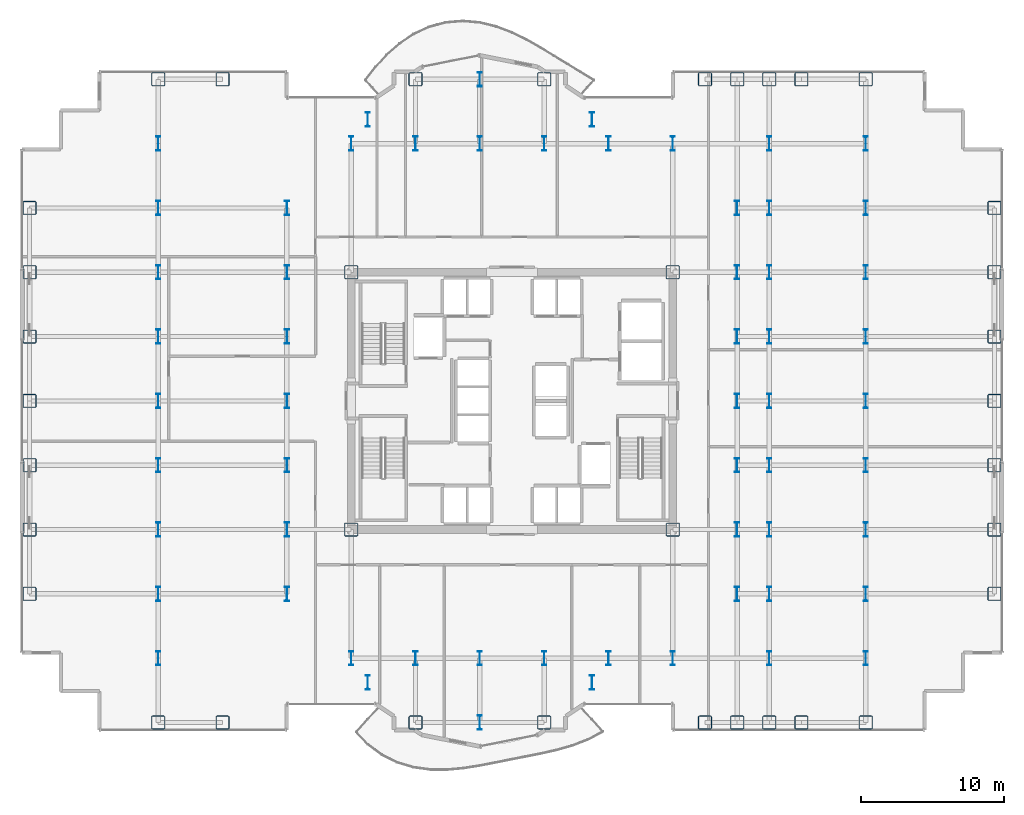
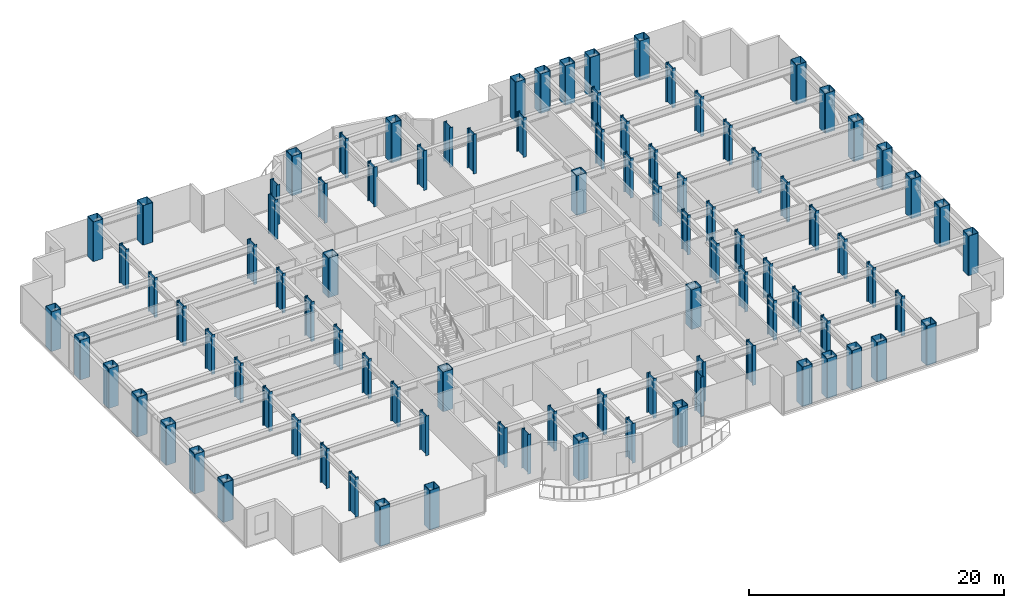
# One storey, part 1 of 28: 95 columns.
"""IFC4 building model written with IfcOpenShell, lengths in metres."""

from ifc_helpers import new_model, si_unit, direction, frame, origin, origin_2d, place, context, subcontext, project, spatial, hollow_rectangle, i_section, extrude, source, transform, mapped, material, material_profile, profile_set, type_object, element, save


model = new_model("IFC4")

# Units and contexts
model_context = context("Model", 3, precision=1e-05, world=origin(), true_north=direction((0.0, 1.0)))
body_context = subcontext(model_context, "Body", "Model", "MODEL_VIEW")
ifc_project = project(units=[si_unit("LENGTHUNIT", "METRE"), si_unit("AREAUNIT", "SQUARE_METRE"), si_unit("VOLUMEUNIT", "CUBIC_METRE"), si_unit("PLANEANGLEUNIT", "RADIAN"), si_unit("MASSUNIT", "GRAM", prefix="KILO")], contexts=[model_context])

# Site, building, storey
site_placement = place(None, origin())
site = spatial("IfcSite", under=ifc_project, at=site_placement, CompositionType="ELEMENT")
building_placement = place(site_placement, origin())
building = spatial("IfcBuilding", under=site, at=building_placement, Name="Nefas-Gora Pilgrimage Tower", CompositionType="ELEMENT")
storey_placement = place(building_placement, frame((0.0, 0.0, 102.199951171875)))
storey = spatial("IfcBuildingStorey", under=building, at=storey_placement, Name="L24", CompositionType="ELEMENT", Elevation=102.199951171875)

# Columns
ifc_material = material(Name="Steel S460", Category="steel")
ifc_material_profile_1 = material_profile(ifc_material, hollow_rectangle(XDim=0.949951171875, YDim=0.949951171875, WallThickness=0.044921875, InnerFilletRadius=0.044921875, OuterFilletRadius=0.090087890625, at=origin_2d()), Name="BOX 950x950x45")
ifc_profile_set_1 = profile_set([ifc_material_profile_1], Name="Steel S460")
column_type_1 = type_object("IfcColumnType", Name="COL-TUBE-950", PredefinedType="COLUMN", material=ifc_profile_set_1)
shared_shape_1 = source(origin(), body_context, "Body", "SweptSolid", [
    extrude(hollow_rectangle(XDim=0.949951171875, YDim=0.949951171875, WallThickness=0.044921875, InnerFilletRadius=0.044921875, OuterFilletRadius=0.090087890625, at=origin_2d()), origin(), (0.0, 0.0, 1.0), 3.800048828125),
])
for number, where, z_axis, x_axis, name in (
    (1, (-33.75, -13.5, 0.0), (0.0, 0.0, 1.0), (1.0, 0.0, 0.0), "L24 Tower Column C-Z1.1"),
    (2, (-33.75, -9.0, 0.0), (0.0, 0.0, 1.0), (1.0, 0.0, 0.0), "L24 Tower Column C-Z1.2"),
    (3, (-33.75, -4.5, 0.0), (0.0, 0.0, 1.0), (1.0, 0.0, 0.0), "L24 Tower Column C-Z1.3"),
    (4, (-33.75, 0.0, 0.0), (0.0, 0.0, 1.0), (1.0, 0.0, 0.0), "L24 Tower Column C-Z1.4"),
    (5, (-33.75, 4.5, 0.0), (0.0, 0.0, 1.0), (1.0, 0.0, 0.0), "L24 Tower Column C-Z1.5"),
    (6, (-33.75, 9.0, 0.0), (0.0, 0.0, 1.0), (1.0, 0.0, 0.0), "L24 Tower Column C-Z1.6"),
    (7, (-33.75, 13.5, 0.0), (0.0, 0.0, 1.0), (1.0, 0.0, 0.0), "L24 Tower Column C-Z1.7"),
    (8, (-24.75, -22.5, 0.0), (0.0, 0.0, 1.0), (1.0, 0.0, 0.0), "L24 Tower Column C-Z1.8"),
    (9, (-24.75, 22.5, 0.0), (0.0, 0.0, 1.0), (1.0, 0.0, 0.0), "L24 Tower Column C-Z1.18"),
    (10, (-20.25, -22.5, 0.0), (0.0, 0.0, 1.0), (1.0, 0.0, 0.0), "L24 Tower Column C-Z1.19"),
    (11, (-20.25, 22.5, 0.0), (0.0, 0.0, 1.0), (1.0, 0.0, 0.0), "L24 Tower Column C-Z1.20"),
    (12, (-6.75, -22.5, 0.0), (0.0, 0.0, 1.0), (1.0, 0.0, 0.0), "L24 Tower Column C-Z1.34"),
    (13, (-6.75, 22.5, 0.0), (0.0, 0.0, 1.0), (1.0, 0.0, 0.0), "L24 Tower Column C-Z1.37"),
    (14, (2.25, -22.5, 0.0), (0.0, 0.0, 1.0), (1.0, 0.0, 0.0), "L24 Tower Column C-Z1.42"),
    (15, (2.25, 22.5, 0.0), (0.0, 0.0, 1.0), (1.0, 0.0, 0.0), "L24 Tower Column C-Z1.45"),
    (16, (13.5, -22.5, 0.0), (0.0, 0.0, 1.0), (1.0, 0.0, 0.0), "L24 Tower Column C-Z1.54"),
    (17, (13.5, 22.5, 0.0), (0.0, 0.0, 1.0), (1.0, 0.0, 0.0), "L24 Tower Column C-Z1.55"),
    (18, (15.75, -22.5, 0.0), (0.0, 0.0, 1.0), (1.0, 0.0, 0.0), "L24 Tower Column C-Z1.56"),
    (19, (15.75, 22.5, 0.0), (0.0, 0.0, 1.0), (1.0, 0.0, 0.0), "L24 Tower Column C-Z1.64"),
    (20, (18.0, -22.5, 0.0), (0.0, 0.0, 1.0), (1.0, 0.0, 0.0), "L24 Tower Column C-Z1.65"),
    (21, (18.0, 22.5, 0.0), (0.0, 0.0, 1.0), (1.0, 0.0, 0.0), "L24 Tower Column C-Z1.75"),
    (22, (20.25, -22.5, 0.0), (0.0, 0.0, 1.0), (1.0, 0.0, 0.0), "L24 Tower Column C-Z1.76"),
    (23, (20.25, 22.5, 0.0), (0.0, 0.0, 1.0), (1.0, 0.0, 0.0), "L24 Tower Column C-Z1.77"),
    (24, (24.75, -22.5, 0.0), (0.0, 0.0, 1.0), (1.0, 0.0, 0.0), "L24 Tower Column C-Z1.78"),
    (25, (24.75, 22.5, 0.0), (0.0, 0.0, 1.0), (1.0, 0.0, 0.0), "L24 Tower Column C-Z1.88"),
    (26, (33.75, -13.5, 0.0), (0.0, 0.0, 1.0), (1.0, 0.0, 0.0), "L24 Tower Column C-Z1.89"),
    (27, (33.75, -9.0, 0.0), (0.0, 0.0, 1.0), (1.0, 0.0, 0.0), "L24 Tower Column C-Z1.90"),
    (28, (33.75, -4.5, 0.0), (0.0, 0.0, 1.0), (1.0, 0.0, 0.0), "L24 Tower Column C-Z1.91"),
    (29, (33.75, 0.0, 0.0), (0.0, 0.0, 1.0), (1.0, 0.0, 0.0), "L24 Tower Column C-Z1.92"),
    (30, (33.75, 4.5, 0.0), (0.0, 0.0, 1.0), (1.0, 0.0, 0.0), "L24 Tower Column C-Z1.93"),
    (31, (33.75, 9.0, 0.0), (0.0, 0.0, 1.0), (1.0, 0.0, 0.0), "L24 Tower Column C-Z1.94"),
    (32, (33.75, 13.5, 0.0), (0.0, 0.0, 1.0), (1.0, 0.0, 0.0), "L24 Tower Column C-Z1.95"),
):
    element("IfcColumn", number, at=place(storey_placement, frame(where, z_axis=z_axis, x_axis=x_axis)), inside=storey, type_object=column_type_1, Name=name, PredefinedType="COLUMN", context=body_context, shape_type="MappedRepresentation", body=[
        mapped(shared_shape_1, transform((0.0, 0.0, 0.0), x_axis=(1.0, 0.0, 0.0), y_axis=(0.0, 1.0, 0.0), z_axis=(0.0, 0.0, 1.0), scale=1.0)),
    ])
ifc_material_profile_2 = material_profile(ifc_material, i_section(OverallWidth=0.302001953125, OverallDepth=1.008056640625, WebThickness=0.02099609375, FlangeThickness=0.0400390625, FilletRadius=0.030029296875, at=origin_2d()), Name="HEM 1000")
ifc_profile_set_2 = profile_set([ifc_material_profile_2], Name="Steel S460")
column_type_2 = type_object("IfcColumnType", Name="COL-WEB-HEM1000", PredefinedType="COLUMN", material=ifc_profile_set_2)
shared_shape_2 = source(origin(), body_context, "Body", "SweptSolid", [
    extrude(i_section(OverallWidth=0.302001953125, OverallDepth=1.008056640625, WebThickness=0.02099609375, FlangeThickness=0.0400390625, FilletRadius=0.030029296875, at=origin_2d()), origin(), (0.0, 0.0, 1.0), 3.800048828125),
])
for number, where, z_axis, x_axis, name in (
    (33, (-24.75, -18.0, 0.0), (0.0, 0.0, 1.0), (1.0, 0.0, 0.0), "L24 Tower Column CW-01.9"),
    (34, (-24.75, -13.5, 0.0), (0.0, 0.0, 1.0), (1.0, 0.0, 0.0), "L24 Tower Column CW-01.10"),
    (35, (-24.75, -9.0, 0.0), (0.0, 0.0, 1.0), (1.0, 0.0, 0.0), "L24 Tower Column CW-01.11"),
    (36, (-24.75, -4.5, 0.0), (0.0, 0.0, 1.0), (1.0, 0.0, 0.0), "L24 Tower Column CW-01.12"),
    (37, (-24.75, 0.0, 0.0), (0.0, 0.0, 1.0), (1.0, 0.0, 0.0), "L24 Tower Column CW-01.13"),
    (38, (-24.75, 4.5, 0.0), (0.0, 0.0, 1.0), (1.0, 0.0, 0.0), "L24 Tower Column CW-01.14"),
    (39, (-24.75, 9.0, 0.0), (0.0, 0.0, 1.0), (1.0, 0.0, 0.0), "L24 Tower Column CW-01.15"),
    (40, (-24.75, 13.5, 0.0), (0.0, 0.0, 1.0), (1.0, 0.0, 0.0), "L24 Tower Column CW-01.16"),
    (41, (-24.75, 18.0, 0.0), (0.0, 0.0, 1.0), (1.0, 0.0, 0.0), "L24 Tower Column CW-01.17"),
    (42, (-15.75, -13.5, 0.0), (0.0, 0.0, 1.0), (1.0, 0.0, 0.0), "L24 Tower Column CW-01.21"),
    (43, (-15.75, -9.0, 0.0), (0.0, 0.0, 1.0), (1.0, 0.0, 0.0), "L24 Tower Column CW-01.22"),
    (44, (-15.75, -4.5, 0.0), (0.0, 0.0, 1.0), (1.0, 0.0, 0.0), "L24 Tower Column CW-01.23"),
    (45, (-15.75, 0.0, 0.0), (0.0, 0.0, 1.0), (1.0, 0.0, 0.0), "L24 Tower Column CW-01.24"),
    (46, (-15.75, 4.5, 0.0), (0.0, 0.0, 1.0), (1.0, 0.0, 0.0), "L24 Tower Column CW-01.25"),
    (47, (-15.75, 9.0, 0.0), (0.0, 0.0, 1.0), (1.0, 0.0, 0.0), "L24 Tower Column CW-01.26"),
    (48, (-15.75, 13.5, 0.0), (0.0, 0.0, 1.0), (1.0, 0.0, 0.0), "L24 Tower Column CW-01.27"),
    (49, (-11.25, -18.0, 0.0), (0.0, 0.0, 1.0), (1.0, 0.0, 0.0), "L24 Tower Column CW-01.28"),
    (50, (-11.25, 18.0, 0.0), (0.0, 0.0, 1.0), (1.0, 0.0, 0.0), "L24 Tower Column CW-01.31"),
    (51, (-10.091064453125, -19.696044921875, 0.0), (0.0, 0.0, 1.0), (1.0, 0.0, 0.0), "L24 Tower Column CW-01.32"),
    (52, (-10.091064453125, 19.696044921875, 0.0), (0.0, 0.0, 1.0), (1.0, 0.0, 0.0), "L24 Tower Column CW-01.33"),
    (53, (-6.75, -18.0, 0.0), (0.0, 0.0, 1.0), (1.0, 0.0, 0.0), "L24 Tower Column CW-01.35"),
    (54, (-6.75, 18.0, 0.0), (0.0, 0.0, 1.0), (1.0, 0.0, 0.0), "L24 Tower Column CW-01.36"),
    (55, (-2.25, -22.5, 0.0), (0.0, 0.0, 1.0), (1.0, 0.0, 0.0), "L24 Tower Column CW-01.38"),
    (56, (-2.25, -18.0, 0.0), (0.0, 0.0, 1.0), (1.0, 0.0, 0.0), "L24 Tower Column CW-01.39"),
    (57, (-2.25, 18.0, 0.0), (0.0, 0.0, 1.0), (1.0, 0.0, 0.0), "L24 Tower Column CW-01.40"),
    (58, (-2.25, 22.5, 0.0), (0.0, 0.0, 1.0), (1.0, 0.0, 0.0), "L24 Tower Column CW-01.41"),
    (59, (2.25, -18.0, 0.0), (0.0, 0.0, 1.0), (1.0, 0.0, 0.0), "L24 Tower Column CW-01.43"),
    (60, (2.25, 18.0, 0.0), (0.0, 0.0, 1.0), (1.0, 0.0, 0.0), "L24 Tower Column CW-01.44"),
    (61, (5.591064453125, -19.696044921875, 0.0), (0.0, 0.0, 1.0), (1.0, 0.0, 0.0), "L24 Tower Column CW-01.46"),
    (62, (5.591064453125, 19.696044921875, 0.0), (0.0, 0.0, 1.0), (1.0, 0.0, 0.0), "L24 Tower Column CW-01.47"),
    (63, (6.75, -18.0, 0.0), (0.0, 0.0, 1.0), (1.0, 0.0, 0.0), "L24 Tower Column CW-01.48"),
    (64, (6.75, 18.0, 0.0), (0.0, 0.0, 1.0), (1.0, 0.0, 0.0), "L24 Tower Column CW-01.49"),
    (65, (11.25, -18.0, 0.0), (0.0, 0.0, 1.0), (1.0, 0.0, 0.0), "L24 Tower Column CW-01.50"),
    (66, (11.25, 18.0, 0.0), (0.0, 0.0, 1.0), (1.0, 0.0, 0.0), "L24 Tower Column CW-01.53"),
    (67, (15.75, -13.5, 0.0), (0.0, 0.0, 1.0), (1.0, 0.0, 0.0), "L24 Tower Column CW-01.57"),
    (68, (15.75, -9.0, 0.0), (0.0, 0.0, 1.0), (1.0, 0.0, 0.0), "L24 Tower Column CW-01.58"),
    (69, (15.75, -4.5, 0.0), (0.0, 0.0, 1.0), (1.0, 0.0, 0.0), "L24 Tower Column CW-01.59"),
    (70, (15.75, 0.0, 0.0), (0.0, 0.0, 1.0), (1.0, 0.0, 0.0), "L24 Tower Column CW-01.60"),
    (71, (15.75, 4.5, 0.0), (0.0, 0.0, 1.0), (1.0, 0.0, 0.0), "L24 Tower Column CW-01.61"),
    (72, (15.75, 9.0, 0.0), (0.0, 0.0, 1.0), (1.0, 0.0, 0.0), "L24 Tower Column CW-01.62"),
    (73, (15.75, 13.5, 0.0), (0.0, 0.0, 1.0), (1.0, 0.0, 0.0), "L24 Tower Column CW-01.63"),
    (74, (18.0, -18.0, 0.0), (0.0, 0.0, 1.0), (1.0, 0.0, 0.0), "L24 Tower Column CW-01.66"),
    (75, (18.0, -13.5, 0.0), (0.0, 0.0, 1.0), (1.0, 0.0, 0.0), "L24 Tower Column CW-01.67"),
    (76, (18.0, -9.0, 0.0), (0.0, 0.0, 1.0), (1.0, 0.0, 0.0), "L24 Tower Column CW-01.68"),
    (77, (18.0, -4.5, 0.0), (0.0, 0.0, 1.0), (1.0, 0.0, 0.0), "L24 Tower Column CW-01.69"),
    (78, (18.0, 0.0, 0.0), (0.0, 0.0, 1.0), (1.0, 0.0, 0.0), "L24 Tower Column CW-01.70"),
    (79, (18.0, 4.5, 0.0), (0.0, 0.0, 1.0), (1.0, 0.0, 0.0), "L24 Tower Column CW-01.71"),
    (80, (18.0, 9.0, 0.0), (0.0, 0.0, 1.0), (1.0, 0.0, 0.0), "L24 Tower Column CW-01.72"),
    (81, (18.0, 13.5, 0.0), (0.0, 0.0, 1.0), (1.0, 0.0, 0.0), "L24 Tower Column CW-01.73"),
    (82, (18.0, 18.0, 0.0), (0.0, 0.0, 1.0), (1.0, 0.0, 0.0), "L24 Tower Column CW-01.74"),
    (83, (24.75, -18.0, 0.0), (0.0, 0.0, 1.0), (1.0, 0.0, 0.0), "L24 Tower Column CW-01.79"),
    (84, (24.75, -13.5, 0.0), (0.0, 0.0, 1.0), (1.0, 0.0, 0.0), "L24 Tower Column CW-01.80"),
    (85, (24.75, -9.0, 0.0), (0.0, 0.0, 1.0), (1.0, 0.0, 0.0), "L24 Tower Column CW-01.81"),
    (86, (24.75, -4.5, 0.0), (0.0, 0.0, 1.0), (1.0, 0.0, 0.0), "L24 Tower Column CW-01.82"),
    (87, (24.75, 0.0, 0.0), (0.0, 0.0, 1.0), (1.0, 0.0, 0.0), "L24 Tower Column CW-01.83"),
    (88, (24.75, 4.5, 0.0), (0.0, 0.0, 1.0), (1.0, 0.0, 0.0), "L24 Tower Column CW-01.84"),
    (89, (24.75, 9.0, 0.0), (0.0, 0.0, 1.0), (1.0, 0.0, 0.0), "L24 Tower Column CW-01.85"),
    (90, (24.75, 13.5, 0.0), (0.0, 0.0, 1.0), (1.0, 0.0, 0.0), "L24 Tower Column CW-01.86"),
    (91, (24.75, 18.0, 0.0), (0.0, 0.0, 1.0), (1.0, 0.0, 0.0), "L24 Tower Column CW-01.87"),
):
    element("IfcColumn", number, at=place(storey_placement, frame(where, z_axis=z_axis, x_axis=x_axis)), inside=storey, type_object=column_type_2, Name=name, PredefinedType="COLUMN", context=body_context, shape_type="MappedRepresentation", body=[
        mapped(shared_shape_2, transform((0.0, 0.0, 0.0), x_axis=(1.0, 0.0, 0.0), y_axis=(0.0, 1.0, 0.0), z_axis=(0.0, 0.0, 1.0), scale=1.0)),
    ])
ifc_material_profile_3 = material_profile(ifc_material, hollow_rectangle(XDim=0.949951171875, YDim=0.949951171875, WallThickness=0.044921875, InnerFilletRadius=0.044921875, OuterFilletRadius=0.090087890625, at=origin_2d()), Name="BOX 950x950x45")
ifc_profile_set_3 = profile_set([ifc_material_profile_3], Name="Steel S460")
column_type_3 = type_object("IfcColumnType", Name="COL-CORE-950", PredefinedType="COLUMN", material=ifc_profile_set_3)
shared_shape_3 = source(origin(), body_context, "Body", "SweptSolid", [
    extrude(hollow_rectangle(XDim=0.949951171875, YDim=0.949951171875, WallThickness=0.044921875, InnerFilletRadius=0.044921875, OuterFilletRadius=0.090087890625, at=origin_2d()), origin(), (0.0, 0.0, 1.0), 3.800048828125),
])
for number, where, z_axis, x_axis, name in (
    (92, (-11.25, -9.0, 0.0), (0.0, 0.0, 1.0), (1.0, 0.0, 0.0), "L24 Tower Column CC-Z1.29"),
    (93, (-11.25, 9.0, 0.0), (0.0, 0.0, 1.0), (1.0, 0.0, 0.0), "L24 Tower Column CC-Z1.30"),
    (94, (11.25, -9.0, 0.0), (0.0, 0.0, 1.0), (1.0, 0.0, 0.0), "L24 Tower Column CC-Z1.51"),
    (95, (11.25, 9.0, 0.0), (0.0, 0.0, 1.0), (1.0, 0.0, 0.0), "L24 Tower Column CC-Z1.52"),
):
    element("IfcColumn", number, at=place(storey_placement, frame(where, z_axis=z_axis, x_axis=x_axis)), inside=storey, type_object=column_type_3, Name=name, PredefinedType="COLUMN", context=body_context, shape_type="MappedRepresentation", body=[
        mapped(shared_shape_3, transform((0.0, 0.0, 0.0), x_axis=(1.0, 0.0, 0.0), y_axis=(0.0, 1.0, 0.0), z_axis=(0.0, 0.0, 1.0), scale=1.0)),
    ])

save(model, "model.ifc")
